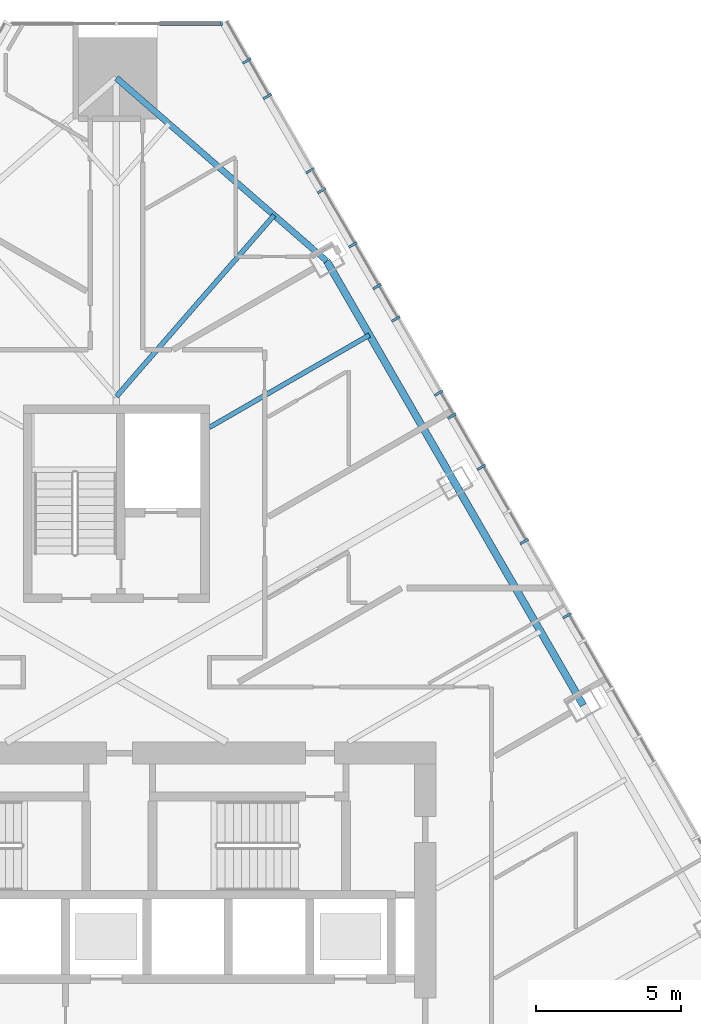
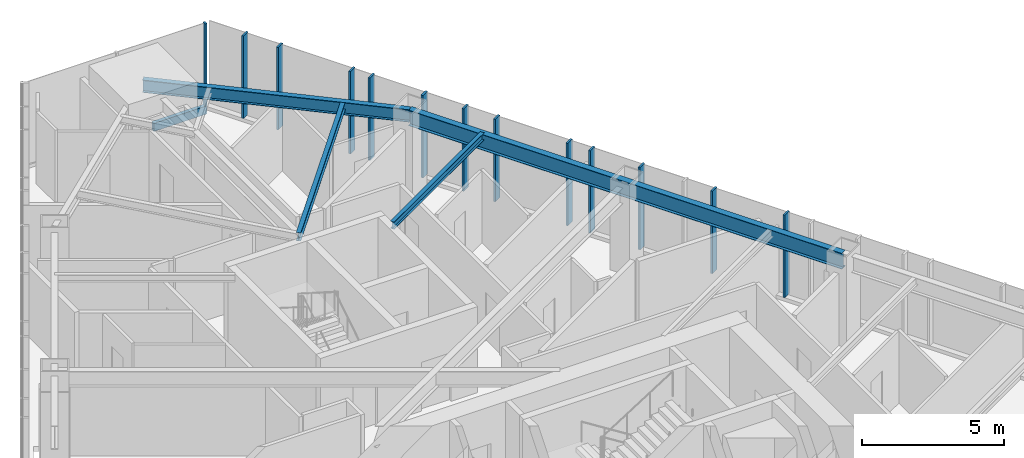
# One storey, part 8 of 19: 14 members, 4 beams, 2 elements without a shape of their own.
"""IFC4 building model written with IfcOpenShell, lengths in metres."""

from ifc_helpers import new_model, si_unit, direction, frame, origin, origin_2d, place, context, subcontext, project, spatial, rectangle, i_section, extrude, material, layer, layer_set, material_profile, profile_set, type_object, element, aggregate, save


model = new_model("IFC4")

# Units and contexts
model_context = context("Model", 3, precision=1e-05, world=origin(), true_north=direction((0.0, 1.0)))
body_context = subcontext(model_context, "Body", "Model", "MODEL_VIEW")
ifc_project = project(units=[si_unit("LENGTHUNIT", "METRE"), si_unit("AREAUNIT", "SQUARE_METRE"), si_unit("VOLUMEUNIT", "CUBIC_METRE"), si_unit("PLANEANGLEUNIT", "RADIAN"), si_unit("MASSUNIT", "GRAM", prefix="KILO")], contexts=[model_context])

# Site, building, storey
site_placement = place(None, origin())
site = spatial("IfcSite", under=ifc_project, at=site_placement, CompositionType="ELEMENT")
building_placement = place(site_placement, origin())
building = spatial("IfcBuilding", under=site, at=building_placement, Name="Firuza Gate Tower and Library", CompositionType="ELEMENT")
storey_placement = place(building_placement, frame((0.0, 0.0, 179.199951171875)))
storey = spatial("IfcBuildingStorey", under=building, at=storey_placement, Name="L41", CompositionType="ELEMENT", Elevation=179.199951171875)

# Curtain wall, member
ifc_material_1 = material(Name="Aluminium 6063-T6", Category="aluminium")
ifc_layer_1 = layer(ifc_material_1, 0.14990234375)
ifc_layer_set_1 = layer_set([ifc_layer_1], Name="Corner curtain wall, chamfers")
curtain_wall_type_1 = type_object("IfcCurtainWallType", Name="Corner curtain wall, chamfers", PredefinedType="NOTDEFINED", material=ifc_layer_set_1)
placement = place(storey_placement, origin())
curtain_wall_1 = element("IfcCurtainWall", 1, at=placement, inside=storey, type_object=curtain_wall_type_1, Name="CW4 L41 N corner", PredefinedType="NOTDEFINED")
ifc_material_2 = material(Name="Aluminium 6063-T6", Category="aluminium")
ifc_material_profile_1 = material_profile(ifc_material_2, rectangle(XDim=0.14990234375, YDim=0.080078125, at=origin_2d()))
ifc_profile_set_1 = profile_set([ifc_material_profile_1], Name="Aluminium 6063-T6")
member_type_1 = type_object("IfcMemberType", Name="Curtain wall mullion 80x150", PredefinedType="MULLION", material=ifc_profile_set_1)
member_1_placement = place(storey_placement, frame((78.603271484375, 107.72021484375, 0.150146484375), z_axis=(0.0, 0.0, 1.0), x_axis=(0.0, -1.0, 0.0)))
member_1 = element("IfcMember", 2, at=member_1_placement, type_object=member_type_1, Name="Mullion", PredefinedType="MULLION", context=body_context, shape_type="SweptSolid", body=[
    extrude(rectangle(XDim=0.14990234375, YDim=0.080078125, at=origin_2d()), origin(), (0.0, 0.0, 1.0), 3.5498046875),
])

# Curtain wall, members
ifc_material_3 = material(Name="Aluminium 6063-T6", Category="aluminium")
ifc_layer_2 = layer(ifc_material_3, 0.14990234375)
ifc_layer_set_2 = layer_set([ifc_layer_2], Name="Unitised curtain wall, hotel")
curtain_wall_type_2 = type_object("IfcCurtainWallType", Name="Unitised curtain wall, hotel", PredefinedType="NOTDEFINED", material=ifc_layer_set_2)
curtain_wall_2 = element("IfcCurtainWall", 3, at=placement, inside=storey, type_object=curtain_wall_type_2, Name="CW2 L41 E face", PredefinedType="NOTDEFINED")
ifc_material_4 = material(Name="Aluminium 6063-T6", Category="aluminium")
ifc_material_profile_2 = material_profile(ifc_material_4, rectangle(XDim=0.320068359375, YDim=0.080078125, at=origin_2d()))
ifc_profile_set_2 = profile_set([ifc_material_profile_2], Name="Aluminium 6063-T6")
member_type_2 = type_object("IfcMemberType", Name="Curtain wall mullion 80x320", PredefinedType="MULLION", material=ifc_profile_set_2)
member_2_placement = place(storey_placement, frame((90.501220703125, 87.3515625, 0.150146484375), z_axis=(0.0, 0.0, 1.0), x_axis=(-0.866025403784, -0.5, 0.0)))
member_2 = element("IfcMember", 4, at=member_2_placement, type_object=member_type_2, Name="Mullion", PredefinedType="MULLION", context=body_context, shape_type="SweptSolid", body=[
    extrude(rectangle(XDim=0.320068359375, YDim=0.080078125, at=origin_2d()), origin(), (0.0, 0.0, 1.0), 3.5498046875),
])
member_3_placement = place(storey_placement, frame((89.0283203125, 89.90283203125, 0.150146484375), z_axis=(0.0, 0.0, 1.0), x_axis=(-0.866025403784, -0.5, 0.0)))
member_3 = element("IfcMember", 5, at=member_3_placement, type_object=member_type_2, Name="Mullion", PredefinedType="MULLION", context=body_context, shape_type="SweptSolid", body=[
    extrude(rectangle(XDim=0.320068359375, YDim=0.080078125, at=origin_2d()), origin(), (0.0, 0.0, 1.0), 3.5498046875),
])
member_4_placement = place(storey_placement, frame((87.55517578125, 92.454345703125, 0.150146484375), z_axis=(0.0, 0.0, 1.0), x_axis=(-0.866025403784, -0.5, 0.0)))
member_4 = element("IfcMember", 6, at=member_4_placement, type_object=member_type_2, Name="Mullion", PredefinedType="MULLION", context=body_context, shape_type="SweptSolid", body=[
    extrude(rectangle(XDim=0.320068359375, YDim=0.080078125, at=origin_2d()), origin(), (0.0, 0.0, 1.0), 3.5498046875),
])
member_5_placement = place(storey_placement, frame((86.082275390625, 95.005615234375, 0.150146484375), z_axis=(0.0, 0.0, 1.0), x_axis=(-0.866025403784, -0.5, 0.0)))
member_5 = element("IfcMember", 7, at=member_5_placement, type_object=member_type_2, Name="Mullion", PredefinedType="MULLION", context=body_context, shape_type="SweptSolid", body=[
    extrude(rectangle(XDim=0.320068359375, YDim=0.080078125, at=origin_2d()), origin(), (0.0, 0.0, 1.0), 3.5498046875),
])
member_6_placement = place(storey_placement, frame((84.609130859375, 97.55712890625, 0.150146484375), z_axis=(0.0, 0.0, 1.0), x_axis=(-0.866025403784, -0.5, 0.0)))
member_6 = element("IfcMember", 8, at=member_6_placement, type_object=member_type_2, Name="Mullion", PredefinedType="MULLION", context=body_context, shape_type="SweptSolid", body=[
    extrude(rectangle(XDim=0.320068359375, YDim=0.080078125, at=origin_2d()), origin(), (0.0, 0.0, 1.0), 3.5498046875),
])
member_7_placement = place(storey_placement, frame((83.135986328125, 100.1083984375, 0.150146484375), z_axis=(0.0, 0.0, 1.0), x_axis=(-0.866025403784, -0.5, 0.0)))
member_7 = element("IfcMember", 9, at=member_7_placement, type_object=member_type_2, Name="Mullion", PredefinedType="MULLION", context=body_context, shape_type="SweptSolid", body=[
    extrude(rectangle(XDim=0.320068359375, YDim=0.080078125, at=origin_2d()), origin(), (0.0, 0.0, 1.0), 3.5498046875),
])
member_8_placement = place(storey_placement, frame((81.6630859375, 102.659912109375, 0.150146484375), z_axis=(0.0, 0.0, 1.0), x_axis=(-0.866025403784, -0.5, 0.0)))
member_8 = element("IfcMember", 10, at=member_8_placement, type_object=member_type_2, Name="Mullion", PredefinedType="MULLION", context=body_context, shape_type="SweptSolid", body=[
    extrude(rectangle(XDim=0.320068359375, YDim=0.080078125, at=origin_2d()), origin(), (0.0, 0.0, 1.0), 3.5498046875),
])
member_9_placement = place(storey_placement, frame((80.18994140625, 105.211181640625, 0.150146484375), z_axis=(0.0, 0.0, 1.0), x_axis=(-0.866025403784, -0.5, 0.0)))
member_9 = element("IfcMember", 11, at=member_9_placement, type_object=member_type_2, Name="Mullion", PredefinedType="MULLION", context=body_context, shape_type="SweptSolid", body=[
    extrude(rectangle(XDim=0.320068359375, YDim=0.080078125, at=origin_2d()), origin(), (0.0, 0.0, 1.0), 3.5498046875),
])
member_10_placement = place(storey_placement, frame((86.5400390625, 94.212646484375, 0.150146484375), z_axis=(0.0, 0.0, 1.0), x_axis=(-0.866025403784, -0.5, 0.0)))
member_10 = element("IfcMember", 12, at=member_10_placement, type_object=member_type_2, Name="Mullion", PredefinedType="MULLION", context=body_context, shape_type="SweptSolid", body=[
    extrude(rectangle(XDim=0.320068359375, YDim=0.080078125, at=origin_2d()), origin(), (0.0, 0.0, 1.0), 3.5498046875),
])
member_11_placement = place(storey_placement, frame((83.9658203125, 98.67138671875, 0.150146484375), z_axis=(0.0, 0.0, 1.0), x_axis=(-0.866025403784, -0.5, 0.0)))
member_11 = element("IfcMember", 13, at=member_11_placement, type_object=member_type_2, Name="Mullion", PredefinedType="MULLION", context=body_context, shape_type="SweptSolid", body=[
    extrude(rectangle(XDim=0.320068359375, YDim=0.080078125, at=origin_2d()), origin(), (0.0, 0.0, 1.0), 3.5498046875),
])
member_12_placement = place(storey_placement, frame((82.05908203125, 101.973876953125, 0.150146484375), z_axis=(0.0, 0.0, 1.0), x_axis=(-0.866025403784, -0.5, 0.0)))
member_12 = element("IfcMember", 14, at=member_12_placement, type_object=member_type_2, Name="Mullion", PredefinedType="MULLION", context=body_context, shape_type="SweptSolid", body=[
    extrude(rectangle(XDim=0.320068359375, YDim=0.080078125, at=origin_2d()), origin(), (0.0, 0.0, 1.0), 3.5498046875),
])
member_13_placement = place(storey_placement, frame((79.48486328125, 106.4326171875, 0.150146484375), z_axis=(0.0, 0.0, 1.0), x_axis=(-0.866025403784, -0.5, 0.0)))
member_13 = element("IfcMember", 15, at=member_13_placement, type_object=member_type_2, Name="Mullion", PredefinedType="MULLION", context=body_context, shape_type="SweptSolid", body=[
    extrude(rectangle(XDim=0.320068359375, YDim=0.080078125, at=origin_2d()), origin(), (0.0, 0.0, 1.0), 3.5498046875),
])
aggregate(curtain_wall_2, [member_2, member_3, member_4, member_5, member_6, member_7, member_8, member_9, member_10, member_11, member_12, member_13])

# Member
ifc_material_5 = material(Name="Aluminium 6063-T6", Category="aluminium")
ifc_material_profile_3 = material_profile(ifc_material_5, rectangle(XDim=0.14990234375, YDim=0.35009765625, at=origin_2d()))
ifc_profile_set_3 = profile_set([ifc_material_profile_3], Name="Aluminium 6063-T6")
member_type_3 = type_object("IfcMemberType", Name="Curtain wall transom 350x150", PredefinedType="USERDEFINED", material=ifc_profile_set_3)
member_14_placement = place(storey_placement, frame((78.643310546875, 107.72021484375, -0.02490234375), z_axis=(-1.0, 0.0, 0.0), x_axis=(0.0, -1.0, 0.0)))
member_14 = element("IfcMember", 16, at=member_14_placement, type_object=member_type_3, Name="Transom", ObjectType="TRANSOM", PredefinedType="USERDEFINED", context=body_context, shape_type="SweptSolid", body=[
    extrude(rectangle(XDim=0.14990234375, YDim=0.35009765625, at=origin_2d()), origin(), (0.0, 0.0, 1.0), 2.163330078125),
])

aggregate(curtain_wall_1, [member_1, member_14])

# Beams
ifc_material_6 = material(Name="Steel S355", Category="steel")
ifc_material_profile_4 = material_profile(ifc_material_6, i_section(OverallWidth=0.1650390625, OverallDepth=0.31005859375, WebThickness=0.005859375, FlangeThickness=0.009765625, at=origin_2d()))
ifc_profile_set_4 = profile_set([ifc_material_profile_4], Name="Steel S355")
beam_type_1 = type_object("IfcBeamType", Name="W310x39 Floor beam", PredefinedType="JOIST", material=ifc_profile_set_4)
beam_1_placement = place(storey_placement, frame((83.703125, 97.00634765625, 3.545166015625), z_axis=(-0.866026275825, -0.499998489578, 0.0), x_axis=(0.499998489578, -0.866026275825, 0.0)))
element("IfcBeam", 17, at=beam_1_placement, inside=storey, type_object=beam_type_1, Name="Floor beam L41 s55", PredefinedType="JOIST", context=body_context, shape_type="SweptSolid", body=[
    extrude(i_section(OverallWidth=0.1650390625, OverallDepth=0.31005859375, WebThickness=0.005859375, FlangeThickness=0.009765625, at=origin_2d()), origin(), (0.0, 0.0, 1.0), 6.3544921875),
])
ifc_material_7 = material(Name="Steel S355", Category="steel")
ifc_material_profile_5 = material_profile(ifc_material_7, i_section(OverallWidth=0.1708984375, OverallDepth=0.35498046875, WebThickness=0.007080078125, FlangeThickness=0.01171875, at=origin_2d()))
ifc_profile_set_5 = profile_set([ifc_material_profile_5], Name="Steel S355")
beam_type_2 = type_object("IfcBeamType", Name="W360x51 Floor beam", PredefinedType="JOIST", material=ifc_profile_set_5)
beam_2_placement = place(storey_placement, frame((80.42431640625, 101.12646484375, 3.5224609375), z_axis=(-0.656320584547, -0.754482133851, 0.0), x_axis=(0.754482133851, -0.656320584547, 0.0)))
element("IfcBeam", 18, at=beam_2_placement, inside=storey, type_object=beam_type_2, Name="Floor beam L41 s60", PredefinedType="JOIST", context=body_context, shape_type="SweptSolid", body=[
    extrude(i_section(OverallWidth=0.1708984375, OverallDepth=0.35498046875, WebThickness=0.007080078125, FlangeThickness=0.01171875, at=origin_2d()), origin(), (0.0, 0.0, 1.0), 8.2646484375),
])
ifc_material_8 = material(Name="Steel S355", Category="steel")
ifc_material_profile_6 = material_profile(ifc_material_8, i_section(OverallWidth=0.212890625, OverallDepth=0.5390625, WebThickness=0.01171875, FlangeThickness=0.018798828125, at=origin_2d()))
ifc_profile_set_6 = profile_set([ifc_material_profile_6], Name="Steel S355")
beam_type_3 = type_object("IfcBeamType", Name="W530x109 Edge beam", PredefinedType="SPANDREL", material=ifc_profile_set_6)
beam_3_placement = place(storey_placement, frame((82.232421875, 99.553466796875, 3.4306640625), z_axis=(-0.754466787809, 0.656338225379, 0.0), x_axis=(-0.656338225379, -0.754466787809, 0.0)))
element("IfcBeam", 19, at=beam_3_placement, inside=storey, type_object=beam_type_3, Name="Edge beam L41 e60", PredefinedType="SPANDREL", context=body_context, shape_type="SweptSolid", body=[
    extrude(i_section(OverallWidth=0.212890625, OverallDepth=0.5390625, WebThickness=0.01171875, FlangeThickness=0.018798828125, at=origin_2d()), origin(), (0.0, 0.0, 1.0), 9.586181640625),
])
ifc_material_9 = material(Name="Steel S355", Category="steel")
ifc_material_profile_7 = material_profile(ifc_material_9, i_section(OverallWidth=0.2529296875, OverallDepth=0.677978515625, WebThickness=0.01171875, FlangeThickness=0.016357421875, at=origin_2d()))
ifc_profile_set_7 = profile_set([ifc_material_profile_7], Name="Steel S355")
beam_type_4 = type_object("IfcBeamType", Name="W690x125 Edge beam", PredefinedType="SPANDREL", material=ifc_profile_set_7)
beam_4_placement = place(storey_placement, frame((91.056396484375, 84.270263671875, 3.361083984375), z_axis=(-0.50000905945, 0.866020173245, 0.0), x_axis=(-0.866020173245, -0.50000905945, 0.0)))
element("IfcBeam", 20, at=beam_4_placement, inside=storey, type_object=beam_type_4, Name="Edge beam L41 e52", PredefinedType="SPANDREL", context=body_context, shape_type="SweptSolid", body=[
    extrude(i_section(OverallWidth=0.2529296875, OverallDepth=0.677978515625, WebThickness=0.01171875, FlangeThickness=0.016357421875, at=origin_2d()), origin(), (0.0, 0.0, 1.0), 17.647705078125),
])

save(model, "model.ifc")
